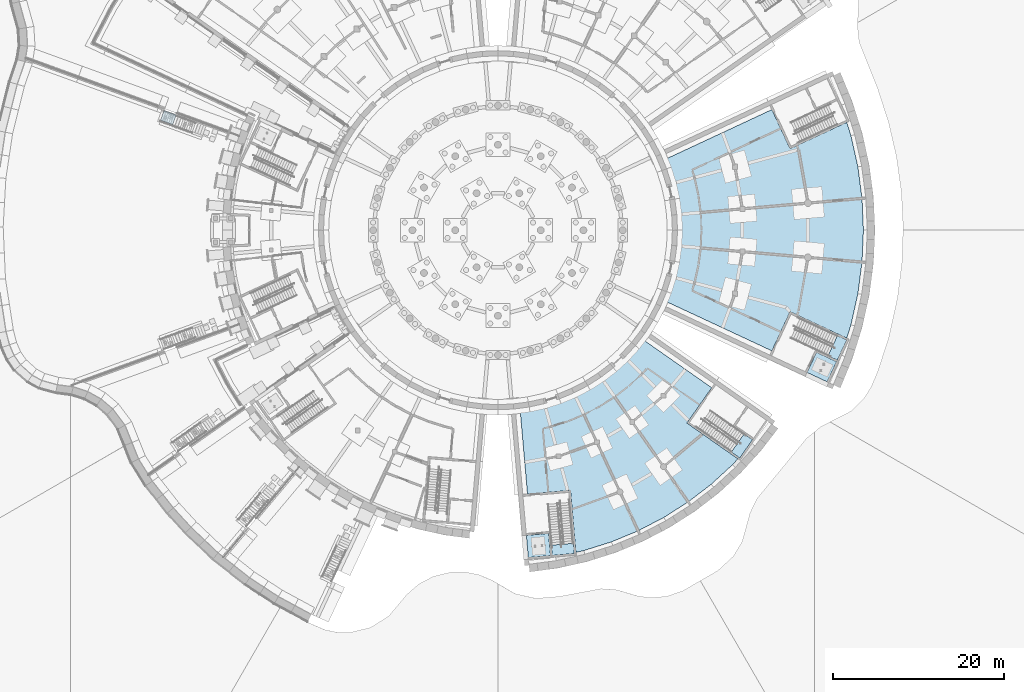
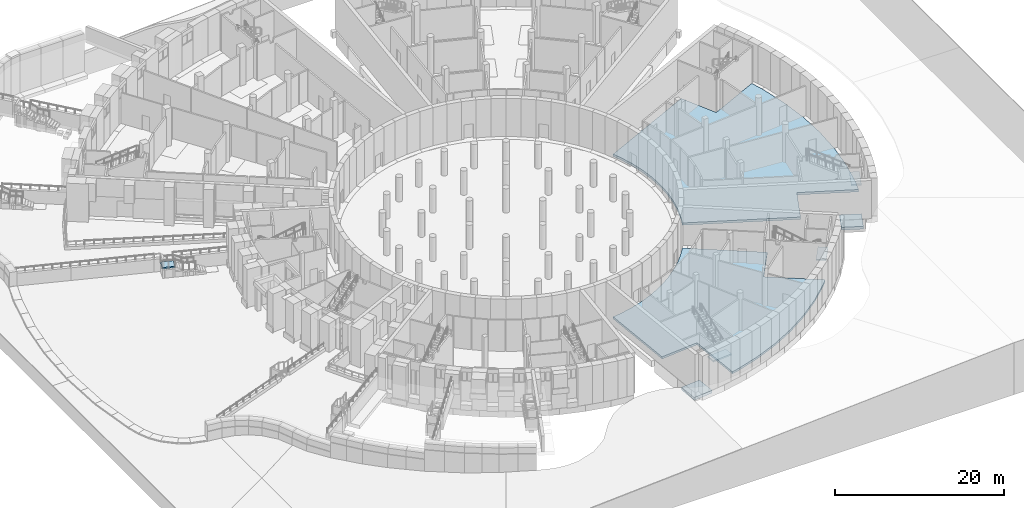
# One storey, part 32 of 65: 8 slabs, 4 elements without a shape of their own.
"""IFC4 building model written with IfcOpenShell, lengths in metres."""

from ifc_helpers import new_model, si_unit, direction, frame, origin, place, context, subcontext, project, spatial, polyline, outline, extrude, material, layer, layer_set, type_object, element, aggregate, save


model = new_model("IFC4")

# Units and contexts
model_context = context("Model", 3, precision=1e-05, world=origin(), true_north=direction((0.0, 1.0)))
body_context = subcontext(model_context, "Body", "Model", "MODEL_VIEW")
ifc_project = project(units=[si_unit("LENGTHUNIT", "METRE"), si_unit("AREAUNIT", "SQUARE_METRE"), si_unit("VOLUMEUNIT", "CUBIC_METRE"), si_unit("PLANEANGLEUNIT", "RADIAN"), si_unit("MASSUNIT", "GRAM", prefix="KILO")], contexts=[model_context])

# Site, building, storey
site_placement = place(None, origin())
site = spatial("IfcSite", under=ifc_project, at=site_placement, CompositionType="ELEMENT")
building_placement = place(site_placement, origin())
building = spatial("IfcBuilding", under=site, at=building_placement, Name="Volute Hill Aquarium", CompositionType="ELEMENT")
storey_placement = place(building_placement, frame((0.0, 0.0, -5.5)))
storey = spatial("IfcBuildingStorey", under=building, at=storey_placement, Name="L00", CompositionType="ELEMENT", Elevation=-5.5)

# Slabs
ifc_material_1 = material(Name="Concrete C30/37", Category="concrete")
ifc_layer_1 = layer(ifc_material_1, 0.300048828125)
ifc_layer_set_1 = layer_set([ifc_layer_1], Name="Base slab 300 C30/37")
slab_type_1 = type_object("IfcSlabType", Name="Base slab 300 C30/37", PredefinedType="BASESLAB", material=ifc_layer_set_1)
slab_1_placement = place(storey_placement, frame((0.0, 0.0, -0.300048828125)))
element("IfcSlab", 1, at=slab_1_placement, inside=storey, type_object=slab_type_1, Name="bs/S3/L00/1", PredefinedType="BASESLAB", context=body_context, shape_type="SweptSolid", body=[
    extrude(outline(polyline([(3.646484375, -20.680908203125), (5.435302734375, -20.284423828125), (7.182373046875, -19.7333984375), (8.875, -19.032470703125), (10.5, -18.1865234375), (12.045166015625, -17.2021484375), (13.49853515625, -16.0869140625), (14.84912109375, -14.84912109375), (16.0869140625, -13.49853515625), (16.7451171875, -12.640625), (25.00439453125, -18.423828125), (22.10791015625, -22.560546875), (28.07470703125, -26.738525390625), (27.435791015625, -27.435791015625), (24.940185546875, -29.722412109375), (22.2548828125, -31.783203125), (19.39990234375, -33.601806640625), (16.397705078125, -35.164794921875), (13.2705078125, -36.460205078125), (10.042236328125, -37.477783203125), (9.118896484375, -37.6826171875), (8.484130859375, -30.42626953125), (3.453369140625, -30.866455078125), (2.57470703125, -20.822021484375), (3.646484375, -20.680908203125)])), origin(), (0.0, 0.0, 1.0), 0.300048828125),
])
ifc_material_2 = material(Name="Concrete C30/37", Category="concrete")
ifc_layer_2 = layer(ifc_material_2, 0.330078125)
ifc_layer_set_2 = layer_set([ifc_layer_2], Name="Base slab 330 C30/37")
slab_type_2 = type_object("IfcSlabType", Name="Base slab 330 C30/37", PredefinedType="BASESLAB", material=ifc_layer_set_2)
slab_2_placement = place(storey_placement, frame((0.0, 0.0, -0.330078125)))
element("IfcSlab", 2, at=slab_2_placement, inside=storey, type_object=slab_type_2, Name="bs/S4/L00/1", PredefinedType="BASESLAB", context=body_context, shape_type="SweptSolid", body=[
    extrude(outline(polyline([(19.7333984375, -7.182373046875), (20.284423828125, -5.435302734375), (20.680908203125, -3.646484375), (20.920166015625, -1.830322265625), (21.0, 0.0), (20.920166015625, 1.830322265625), (20.680908203125, 3.646484375), (20.284423828125, 5.435302734375), (19.7333984375, 7.182373046875), (19.31982421875, 8.181396484375), (32.03759765625, 14.11181640625), (34.172119140625, 9.53515625), (40.80078125, 12.626220703125), (41.293212890625, 11.064453125), (42.1005859375, 7.423583984375), (42.58740234375, 3.725830078125), (42.75, 0.0), (42.58740234375, -3.725830078125), (42.1005859375, -7.423583984375), (41.293212890625, -11.064453125), (40.80078125, -12.626220703125), (34.172119140625, -9.53515625), (32.037841796875, -14.11181640625), (19.31982421875, -8.181396484375), (19.7333984375, -7.182373046875)])), origin(), (0.0, 0.0, 1.0), 0.330078125),
])
ifc_material_3 = material(Name="Concrete C30/37", Category="concrete")
ifc_layer_3 = layer(ifc_material_3, 0.39990234375)
ifc_layer_set_3 = layer_set([ifc_layer_3], Name="Lift pit slab 400 C30/37")
slab_type_3 = type_object("IfcSlabType", Name="Lift pit slab 400 C30/37", PredefinedType="BASESLAB", material=ifc_layer_set_3)
slab_3_placement = place(storey_placement, frame((0.0, 0.0, -1.800048828125)))
element("IfcSlab", 3, at=slab_3_placement, inside=storey, type_object=slab_type_3, Name="lp/S3-A/L00", PredefinedType="BASESLAB", context=body_context, shape_type="SweptSolid", body=[
    extrude(outline(polyline([(3.32373046875, -35.696044921875), (3.55029296875, -38.286376953125), (6.140380859375, -38.059814453125), (5.913818359375, -35.469482421875), (3.32373046875, -35.696044921875)])), origin(), (0.0, 0.0, 1.0), 0.400146484375),
])
slab_4_placement = place(storey_placement, frame((0.0, 0.0, -1.800048828125)))
element("IfcSlab", 4, at=slab_4_placement, inside=storey, type_object=slab_type_3, Name="lp/S4-A/L00", PredefinedType="BASESLAB", context=body_context, shape_type="SweptSolid", body=[
    extrude(outline(polyline([(36.155517578125, -16.638916015625), (38.511962890625, -17.73779296875), (39.61083984375, -15.38134765625), (37.25439453125, -14.282470703125), (36.155517578125, -16.638916015625)])), origin(), (0.0, 0.0, 1.0), 0.400146484375),
])

# Stair, slab
ifc_material_4 = material(Name="Concrete C30/37", Category="concrete")
stair_type_1 = type_object("IfcStairType", Name="Outdoor stair", PredefinedType="STRAIGHT_RUN_STAIR", material=ifc_material_4)
stair_1_placement = place(storey_placement, origin())
stair_1 = element("IfcStair", 5, at=stair_1_placement, inside=storey, type_object=stair_type_1, Name="Outdoor stair 160", PredefinedType="STRAIGHT_RUN_STAIR")
ifc_material_5 = material(Name="Concrete C30/37", Category="concrete")
ifc_layer_4 = layer(ifc_material_5, 0.199951171875)
ifc_layer_set_4 = layer_set([ifc_layer_4], Name="Outdoor stair landing C30/37 200")
slab_type_4 = type_object("IfcSlabType", Name="Outdoor stair landing C30/37 200", PredefinedType="LANDING", material=ifc_layer_set_4)
slab_5_placement = place(storey_placement, frame((0.0, 0.0, 1.175048828125)))
slab_5 = element("IfcSlab", 6, at=slab_5_placement, type_object=slab_type_4, Name="ST landing 2", PredefinedType="LANDING", context=body_context, shape_type="SweptSolid", body=[
    extrude(outline(polyline([(-37.63720703125, 13.486083984375), (-39.056396484375, 14.00244140625), (-39.466796875, 12.874755859375), (-38.047607421875, 12.3583984375), (-37.63720703125, 13.486083984375)])), origin(), (0.0, 0.0, 1.0), 0.199951171875),
])
aggregate(stair_1, [slab_5])

ifc_material_6 = material(Name="Concrete C35/45", Category="concrete")
stair_type_2 = type_object("IfcStairType", Name="Stair C35/45", PredefinedType="HALF_TURN_STAIR", material=ifc_material_6)
stair_2_placement = place(storey_placement, origin())
stair_2 = element("IfcStair", 7, at=stair_2_placement, inside=storey, type_object=stair_type_2, Name="ST/S3-A/L00", PredefinedType="HALF_TURN_STAIR")
ifc_material_7 = material(Name="Concrete C35/45", Category="concrete")
ifc_layer_5 = layer(ifc_material_7, 0.199951171875)
ifc_layer_set_5 = layer_set([ifc_layer_5], Name="Stair landing C35/45 200")
slab_type_5 = type_object("IfcSlabType", Name="Stair landing C35/45 200", PredefinedType="LANDING", material=ifc_layer_set_5)
slab_6_placement = place(storey_placement, frame((0.0, 0.0, 2.550048828125)))
slab_6 = element("IfcSlab", 8, at=slab_6_placement, type_object=slab_type_5, Name="ST-S3-A-00 landing 1", PredefinedType="LANDING", context=body_context, shape_type="SweptSolid", body=[
    extrude(outline(polyline([(6.235107421875, -36.8447265625), (6.339599609375, -38.042236328125), (8.9296875, -37.815673828125), (8.8251953125, -36.6181640625), (6.235107421875, -36.8447265625)])), origin(), (0.0, 0.0, 1.0), 0.199951171875),
])
aggregate(stair_2, [slab_6])

stair_3_placement = place(storey_placement, origin())
stair_3 = element("IfcStair", 9, at=stair_3_placement, inside=storey, type_object=stair_type_2, Name="ST/S3-B/L00", PredefinedType="HALF_TURN_STAIR")
slab_7_placement = place(storey_placement, frame((0.0, 0.0, 2.550048828125)))
slab_7 = element("IfcSlab", 10, at=slab_7_placement, type_object=slab_type_5, Name="ST-S3-B-00 landing 1", PredefinedType="LANDING", context=body_context, shape_type="SweptSolid", body=[
    extrude(outline(polyline([(27.2998046875, -25.951904296875), (28.284423828125, -26.641357421875), (29.775634765625, -24.511474609375), (28.791015625, -23.822021484375), (27.2998046875, -25.951904296875)])), origin(), (0.0, 0.0, 1.0), 0.199951171875),
])
aggregate(stair_3, [slab_7])

stair_4_placement = place(storey_placement, origin())
stair_4 = element("IfcStair", 11, at=stair_4_placement, inside=storey, type_object=stair_type_2, Name="ST/S4-A/L00", PredefinedType="HALF_TURN_STAIR")
slab_8_placement = place(storey_placement, frame((0.0, 0.0, 2.550048828125)))
slab_8 = element("IfcSlab", 12, at=slab_8_placement, type_object=slab_type_5, Name="ST-S4-A-00 landing 1", PredefinedType="LANDING", context=body_context, shape_type="SweptSolid", body=[
    extrude(outline(polyline([(38.60595703125, -14.692138671875), (39.6953125, -15.2001953125), (40.794189453125, -12.84375), (39.70458984375, -12.335693359375), (38.60595703125, -14.692138671875)])), origin(), (0.0, 0.0, 1.0), 0.199951171875),
])
aggregate(stair_4, [slab_8])

save(model, "model.ifc")
